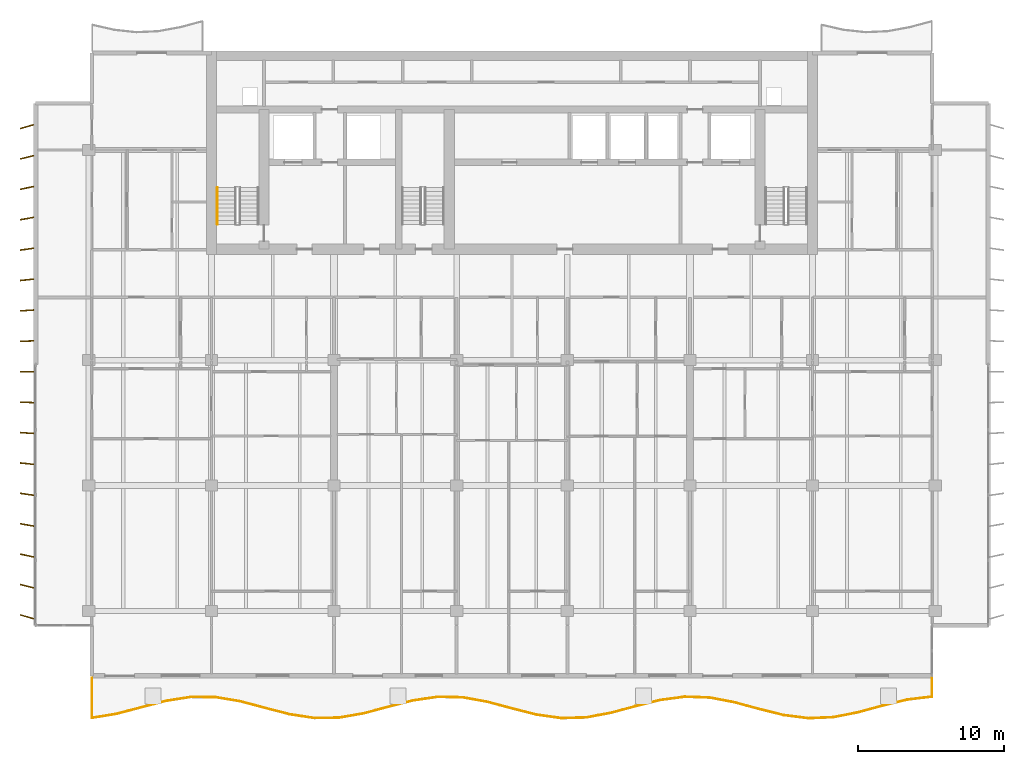
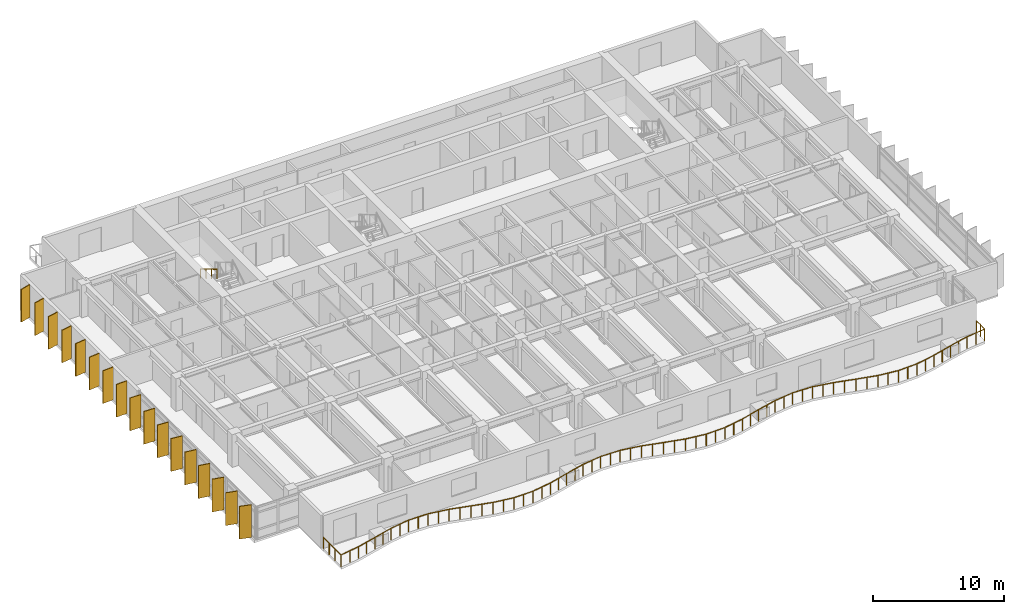
# One storey, part 16 of 19: 17 shading devices, 2 railings.
"""IFC4 building model written with IfcOpenShell, lengths in metres."""

from ifc_helpers import new_model, si_unit, direction, frame, origin, origin_2d, place, context, subcontext, project, spatial, rectangle, circle, extrude, material, material_profile, profile_set, type_object, element, save


model = new_model("IFC4")

# Units and contexts
model_context = context("Model", 3, precision=1e-05, world=origin(), true_north=direction((0.0, 1.0)))
body_context = subcontext(model_context, "Body", "Model", "MODEL_VIEW")
ifc_project = project(units=[si_unit("LENGTHUNIT", "METRE"), si_unit("AREAUNIT", "SQUARE_METRE"), si_unit("VOLUMEUNIT", "CUBIC_METRE"), si_unit("PLANEANGLEUNIT", "RADIAN"), si_unit("MASSUNIT", "GRAM", prefix="KILO")], contexts=[model_context])

# Site, building, storey
site_placement = place(None, origin())
site = spatial("IfcSite", under=ifc_project, at=site_placement, CompositionType="ELEMENT")
building_placement = place(site_placement, origin())
building = spatial("IfcBuilding", under=site, at=building_placement, Name="Caelmar Bay Residences", CompositionType="ELEMENT")
storey_placement = place(building_placement, frame((0.0, 0.0, 167.10009765625)))
storey = spatial("IfcBuildingStorey", under=building, at=storey_placement, Name="L46", CompositionType="ELEMENT", Elevation=167.10009765625)

# Railings
ifc_material_1 = material(Name="Anodised bronze handrail with laminated hurricane glass infill", Category="glass")
railing_type_1 = type_object("IfcRailingType", Name="RL-BAL-1100", PredefinedType="BALUSTRADE", material=ifc_material_1)
railing_1_placement = place(storey_placement, frame((10.10009765625, 7.60009765625, 0.0)))
element("IfcRailing", 1, at=railing_1_placement, inside=storey, type_object=railing_type_1, Name="L46 south Balcony Balustrade", PredefinedType="BALUSTRADE", context=body_context, shape_type="SweptSolid", body=[
    extrude(circle(Radius=0.02392578125, at=origin_2d()), frame((0.0, 0.0, 1.076171875), z_axis=(0.0, -1.0, 0.0), x_axis=(1.0, 0.0, 0.0)), (0.0, 0.0, 1.0), 2.7333984375),
    extrude(circle(Radius=0.02392578125, at=origin_2d()), frame((0.0, -2.7333984375, 1.076171875), z_axis=(0.987020906069, 0.160591814808, 0.0), x_axis=(-0.160591814808, 0.987020906069, 0.0)), (0.0, 0.0, 1.0), 1.71630859375),
    extrude(circle(Radius=0.02392578125, at=origin_2d()), frame((1.694091796875, -2.457763671875, 1.076171875), z_axis=(0.967110634576, 0.254356089941, 0.0), x_axis=(-0.254356089941, 0.967110634576, 0.0)), (0.0, 0.0, 1.0), 1.751708984375),
    extrude(circle(Radius=0.02392578125, at=origin_2d()), frame((3.38818359375, -2.01220703125, 1.076171875), z_axis=(0.967520956734, 0.252790819219, 0.0), x_axis=(-0.252790819219, 0.967520956734, 0.0)), (0.0, 0.0, 1.0), 1.7509765625),
    extrude(circle(Radius=0.02392578125, at=origin_2d()), frame((5.082275390625, -1.569580078125, 1.076171875), z_axis=(0.987754884776, 0.156013741708, 0.0), x_axis=(-0.156013741708, 0.987754884776, 0.0)), (0.0, 0.0, 1.0), 1.715087890625),
    extrude(circle(Radius=0.02392578125, at=origin_2d()), frame((6.7763671875, -1.302001953125, 1.076171875), z_axis=(0.999978027596, -0.006629051631, 0.0), x_axis=(0.006629051631, 0.999978027596, 0.0)), (0.0, 0.0, 1.0), 1.694091796875),
    extrude(circle(Radius=0.02392578125, at=origin_2d()), frame((8.470458984375, -1.313232421875, 1.076171875), z_axis=(0.986104347892, -0.166127105157, 0.0), x_axis=(0.166127105157, 0.986104347892, 0.0)), (0.0, 0.0, 1.0), 1.718017578125),
    extrude(circle(Radius=0.02392578125, at=origin_2d()), frame((10.16455078125, -1.5986328125, 1.076171875), z_axis=(0.966594667153, -0.256309869947, 0.0), x_axis=(0.256309869947, 0.966594667153, 0.0)), (0.0, 0.0, 1.0), 1.752685546875),
    extrude(circle(Radius=0.02392578125, at=origin_2d()), frame((11.858642578125, -2.0478515625, 1.076171875), z_axis=(0.968132332048, -0.250439189512, 0.0), x_axis=(0.250439189512, 0.968132332048, 0.0)), (0.0, 0.0, 1.0), 1.749755859375),
    extrude(circle(Radius=0.02392578125, at=origin_2d()), frame((13.552734375, -2.486083984375, 1.076171875), z_axis=(0.98864185553, -0.150290656712, 0.0), x_axis=(0.150290656712, 0.98864185553, 0.0)), (0.0, 0.0, 1.0), 1.7138671875),
    extrude(circle(Radius=0.02392578125, at=origin_2d()), frame((15.2470703125, -2.74365234375, 1.076171875), z_axis=(0.999904312247, 0.013833522694, 0.0), x_axis=(-0.013833522694, 0.999904312247, 0.0)), (0.0, 0.0, 1.0), 1.6943359375),
    extrude(circle(Radius=0.02392578125, at=origin_2d()), frame((16.941162109375, -2.72021484375, 1.076171875), z_axis=(0.985158564818, 0.171646736542, 0.0), x_axis=(-0.171646736542, 0.985158564818, 0.0)), (0.0, 0.0, 1.0), 1.7197265625),
    extrude(circle(Radius=0.02392578125, at=origin_2d()), frame((18.63525390625, -2.425048828125, 1.076171875), z_axis=(0.966144753917, 0.258000609455, 0.0), x_axis=(-0.258000609455, 0.966144753917, 0.0)), (0.0, 0.0, 1.0), 1.75341796875),
    extrude(circle(Radius=0.02392578125, at=origin_2d()), frame((20.329345703125, -1.97265625, 1.076171875), z_axis=(0.968738750291, 0.248083118499, 0.0), x_axis=(-0.248083118499, 0.968738750291, 0.0)), (0.0, 0.0, 1.0), 1.748779296875),
    extrude(circle(Radius=0.02392578125, at=origin_2d()), frame((22.0234375, -1.538818359375, 1.076171875), z_axis=(0.98951133428, 0.14445525027, 0.0), x_axis=(-0.14445525027, 0.98951133428, 0.0)), (0.0, 0.0, 1.0), 1.712158203125),
    extrude(circle(Radius=0.02392578125, at=origin_2d()), frame((23.717529296875, -1.29150390625, 1.076171875), z_axis=(0.999775681677, -0.021179856637, 0.0), x_axis=(0.021179856637, 0.999775681677, 0.0)), (0.0, 0.0, 1.0), 1.694580078125),
    extrude(circle(Radius=0.02392578125, at=origin_2d()), frame((25.41162109375, -1.327392578125, 1.076171875), z_axis=(0.984208538053, -0.177012862875, 0.0), x_axis=(0.177012862875, 0.984208538053, 0.0)), (0.0, 0.0, 1.0), 1.72119140625),
    extrude(circle(Radius=0.02392578125, at=origin_2d()), frame((27.105712890625, -1.632080078125, 1.076171875), z_axis=(0.965727200688, -0.259559191423, 0.0), x_axis=(0.259559191423, 0.965727200688, 0.0)), (0.0, 0.0, 1.0), 1.754150390625),
    extrude(circle(Radius=0.02392578125, at=origin_2d()), frame((28.7998046875, -2.08740234375, 1.076171875), z_axis=(0.969373446512, -0.245591370366, 0.0), x_axis=(0.245591370366, 0.969373446512, 0.0)), (0.0, 0.0, 1.0), 1.74755859375),
    extrude(circle(Radius=0.02392578125, at=origin_2d()), frame((30.493896484375, -2.5166015625, 1.076171875), z_axis=(0.990409437988, -0.138163472542, 0.0), x_axis=(0.138163472542, 0.990409437988, 0.0)), (0.0, 0.0, 1.0), 1.71044921875),
    extrude(circle(Radius=0.02392578125, at=origin_2d()), frame((32.18798828125, -2.7529296875, 1.076171875), z_axis=(0.999601431014, 0.028230818513, 0.0), x_axis=(-0.028230818513, 0.999601431014, 0.0)), (0.0, 0.0, 1.0), 1.695068359375),
    extrude(circle(Radius=0.02392578125, at=origin_2d()), frame((33.88232421875, -2.705078125, 1.076171875), z_axis=(0.983256624742, 0.182226260184, 0.0), x_axis=(-0.182226260184, 0.983256624742, 0.0)), (0.0, 0.0, 1.0), 1.722900390625),
    extrude(circle(Radius=0.02392578125, at=origin_2d()), frame((35.576416015625, -2.39111328125, 1.076171875), z_axis=(0.965342555337, 0.260986112381, 0.0), x_axis=(-0.260986112381, 0.965342555337, 0.0)), (0.0, 0.0, 1.0), 1.7548828125),
    extrude(circle(Radius=0.02392578125, at=origin_2d()), frame((37.2705078125, -1.93310546875, 1.076171875), z_axis=(0.970068443497, 0.242831659656, 0.0), x_axis=(-0.242831659656, 0.970068443497, 0.0)), (0.0, 0.0, 1.0), 1.746337890625),
    extrude(circle(Radius=0.02392578125, at=origin_2d()), frame((38.964599609375, -1.509033203125, 1.076171875), z_axis=(0.991231643063, 0.132135649205, 0.0), x_axis=(-0.132135649205, 0.991231643063, 0.0)), (0.0, 0.0, 1.0), 1.708984375),
    extrude(circle(Radius=0.02392578125, at=origin_2d()), frame((40.65869140625, -1.283203125, 1.076171875), z_axis=(0.999367067109, -0.035573377371, 0.0), x_axis=(0.035573377371, 0.999367067109, 0.0)), (0.0, 0.0, 1.0), 1.695068359375),
    extrude(circle(Radius=0.02392578125, at=origin_2d()), frame((42.352783203125, -1.343505859375, 1.076171875), z_axis=(0.982310060551, -0.187261701745, 0.0), x_axis=(0.187261701745, 0.982310060551, 0.0)), (0.0, 0.0, 1.0), 1.724853515625),
    extrude(circle(Radius=0.02392578125, at=origin_2d()), frame((44.047119140625, -1.66650390625, 1.076171875), z_axis=(0.965026507292, -0.26215232256, 0.0), x_axis=(0.26215232256, 0.965026507292, 0.0)), (0.0, 0.0, 1.0), 1.75537109375),
    extrude(circle(Radius=0.02392578125, at=origin_2d()), frame((45.7412109375, -2.126708984375, 1.076171875), z_axis=(0.970789153593, -0.239934197782, 0.0), x_axis=(0.239934197782, 0.970789153593, 0.0)), (0.0, 0.0, 1.0), 1.7451171875),
    extrude(circle(Radius=0.02392578125, at=origin_2d()), frame((47.435302734375, -2.54541015625, 1.076171875), z_axis=(0.992036281336, -0.125952437506, 0.0), x_axis=(0.125952437506, 0.992036281336, 0.0)), (0.0, 0.0, 1.0), 1.707763671875),
    extrude(circle(Radius=0.02392578125, at=origin_2d()), frame((49.12939453125, -2.760498046875, 1.076171875), z_axis=(0.999085270013, 0.042762404553, 0.0), x_axis=(-0.042762404553, 0.999085270013, 0.0)), (0.0, 0.0, 1.0), 1.695556640625),
    extrude(circle(Radius=0.02392578125, at=origin_2d()), frame((50.823486328125, -2.68798828125, 1.076171875), z_axis=(0.981356137979, 0.192198154131, 0.0), x_axis=(-0.192198154131, 0.981356137979, 0.0)), (0.0, 0.0, 1.0), 1.726318359375),
    extrude(circle(Radius=0.02392578125, at=origin_2d()), frame((52.517578125, -2.356201171875, 1.076171875), z_axis=(0.964744568041, 0.263187990676, 0.0), x_axis=(-0.263187990676, 0.964744568041, 0.0)), (0.0, 0.0, 1.0), 1.756103515625),
    extrude(circle(Radius=0.02392578125, at=origin_2d()), frame((54.211669921875, -1.89404296875, 1.076171875), z_axis=(0.971502255438, 0.23703030962, 0.0), x_axis=(-0.23703030962, 0.971502255438, 0.0)), (0.0, 0.0, 1.0), 1.743896484375),
    extrude(circle(Radius=0.02392578125, at=origin_2d()), frame((55.90576171875, -1.480712890625, 1.076171875), z_axis=(0.992837516335, 0.119472449364, 0.0), x_axis=(-0.119472449364, 0.992837516335, 0.0)), (0.0, 0.0, 1.0), 1.706298828125),
    extrude(circle(Radius=0.02392578125, at=origin_2d()), frame((57.599853515625, -1.27685546875, 1.076171875), z_axis=(0.0, 1.0, 0.0), x_axis=(-1.0, 0.0, 0.0)), (0.0, 0.0, 1.0), 1.27685546875),
    extrude(circle(Radius=0.02099609375, at=origin_2d()), origin(), (0.0, 0.0, 1.0), 1.052001953125),
    extrude(circle(Radius=0.02099609375, at=origin_2d()), frame((0.0, -0.9111328125, 0.0)), (0.0, 0.0, 1.0), 1.052001953125),
    extrude(circle(Radius=0.02099609375, at=origin_2d()), frame((0.0, -1.822265625, 0.0)), (0.0, 0.0, 1.0), 1.052001953125),
    extrude(circle(Radius=0.02099609375, at=origin_2d()), frame((0.0, -2.7333984375, 0.0)), (0.0, 0.0, 1.0), 1.052001953125),
    extrude(circle(Radius=0.02099609375, at=origin_2d()), frame((0.84716796875, -2.595703125, 0.0)), (0.0, 0.0, 1.0), 1.052001953125),
    extrude(circle(Radius=0.02099609375, at=origin_2d()), frame((1.694091796875, -2.457763671875, 0.0)), (0.0, 0.0, 1.0), 1.052001953125),
    extrude(circle(Radius=0.02099609375, at=origin_2d()), frame((2.541015625, -2.23486328125, 0.0)), (0.0, 0.0, 1.0), 1.052001953125),
    extrude(circle(Radius=0.02099609375, at=origin_2d()), frame((3.38818359375, -2.01220703125, 0.0)), (0.0, 0.0, 1.0), 1.052001953125),
    extrude(circle(Radius=0.02099609375, at=origin_2d()), frame((4.2353515625, -1.791015625, 0.0)), (0.0, 0.0, 1.0), 1.052001953125),
    extrude(circle(Radius=0.02099609375, at=origin_2d()), frame((5.082275390625, -1.569580078125, 0.0)), (0.0, 0.0, 1.0), 1.052001953125),
    extrude(circle(Radius=0.02099609375, at=origin_2d()), frame((5.92919921875, -1.435791015625, 0.0)), (0.0, 0.0, 1.0), 1.052001953125),
    extrude(circle(Radius=0.02099609375, at=origin_2d()), frame((6.7763671875, -1.302001953125, 0.0)), (0.0, 0.0, 1.0), 1.052001953125),
    extrude(circle(Radius=0.02099609375, at=origin_2d()), frame((7.62353515625, -1.3076171875, 0.0)), (0.0, 0.0, 1.0), 1.052001953125),
    extrude(circle(Radius=0.02099609375, at=origin_2d()), frame((8.470458984375, -1.313232421875, 0.0)), (0.0, 0.0, 1.0), 1.052001953125),
    extrude(circle(Radius=0.02099609375, at=origin_2d()), frame((9.3173828125, -1.4560546875, 0.0)), (0.0, 0.0, 1.0), 1.052001953125),
    extrude(circle(Radius=0.02099609375, at=origin_2d()), frame((10.16455078125, -1.5986328125, 0.0)), (0.0, 0.0, 1.0), 1.052001953125),
    extrude(circle(Radius=0.02099609375, at=origin_2d()), frame((11.01171875, -1.8232421875, 0.0)), (0.0, 0.0, 1.0), 1.052001953125),
    extrude(circle(Radius=0.02099609375, at=origin_2d()), frame((11.858642578125, -2.0478515625, 0.0)), (0.0, 0.0, 1.0), 1.052001953125),
    extrude(circle(Radius=0.02099609375, at=origin_2d()), frame((12.70556640625, -2.26708984375, 0.0)), (0.0, 0.0, 1.0), 1.052001953125),
    extrude(circle(Radius=0.02099609375, at=origin_2d()), frame((13.552734375, -2.486083984375, 0.0)), (0.0, 0.0, 1.0), 1.052001953125),
    extrude(circle(Radius=0.02099609375, at=origin_2d()), frame((14.39990234375, -2.61474609375, 0.0)), (0.0, 0.0, 1.0), 1.052001953125),
    extrude(circle(Radius=0.02099609375, at=origin_2d()), frame((15.2470703125, -2.74365234375, 0.0)), (0.0, 0.0, 1.0), 1.052001953125),
    extrude(circle(Radius=0.02099609375, at=origin_2d()), frame((16.09423828125, -2.73193359375, 0.0)), (0.0, 0.0, 1.0), 1.052001953125),
    extrude(circle(Radius=0.02099609375, at=origin_2d()), frame((16.941162109375, -2.72021484375, 0.0)), (0.0, 0.0, 1.0), 1.052001953125),
    extrude(circle(Radius=0.02099609375, at=origin_2d()), frame((17.7880859375, -2.57275390625, 0.0)), (0.0, 0.0, 1.0), 1.052001953125),
    extrude(circle(Radius=0.02099609375, at=origin_2d()), frame((18.63525390625, -2.425048828125, 0.0)), (0.0, 0.0, 1.0), 1.052001953125),
    extrude(circle(Radius=0.02099609375, at=origin_2d()), frame((19.482421875, -2.19873046875, 0.0)), (0.0, 0.0, 1.0), 1.052001953125),
    extrude(circle(Radius=0.02099609375, at=origin_2d()), frame((20.329345703125, -1.97265625, 0.0)), (0.0, 0.0, 1.0), 1.052001953125),
    extrude(circle(Radius=0.02099609375, at=origin_2d()), frame((21.17626953125, -1.755859375, 0.0)), (0.0, 0.0, 1.0), 1.052001953125),
    extrude(circle(Radius=0.02099609375, at=origin_2d()), frame((22.0234375, -1.538818359375, 0.0)), (0.0, 0.0, 1.0), 1.052001953125),
    extrude(circle(Radius=0.02099609375, at=origin_2d()), frame((22.87060546875, -1.4150390625, 0.0)), (0.0, 0.0, 1.0), 1.052001953125),
    extrude(circle(Radius=0.02099609375, at=origin_2d()), frame((23.717529296875, -1.29150390625, 0.0)), (0.0, 0.0, 1.0), 1.052001953125),
    extrude(circle(Radius=0.02099609375, at=origin_2d()), frame((24.564453125, -1.3095703125, 0.0)), (0.0, 0.0, 1.0), 1.052001953125),
    extrude(circle(Radius=0.02099609375, at=origin_2d()), frame((25.41162109375, -1.327392578125, 0.0)), (0.0, 0.0, 1.0), 1.052001953125),
    extrude(circle(Radius=0.02099609375, at=origin_2d()), frame((26.2587890625, -1.479736328125, 0.0)), (0.0, 0.0, 1.0), 1.052001953125),
    extrude(circle(Radius=0.02099609375, at=origin_2d()), frame((27.105712890625, -1.632080078125, 0.0)), (0.0, 0.0, 1.0), 1.052001953125),
    extrude(circle(Radius=0.02099609375, at=origin_2d()), frame((27.95263671875, -1.85986328125, 0.0)), (0.0, 0.0, 1.0), 1.052001953125),
    extrude(circle(Radius=0.02099609375, at=origin_2d()), frame((28.7998046875, -2.08740234375, 0.0)), (0.0, 0.0, 1.0), 1.052001953125),
    extrude(circle(Radius=0.02099609375, at=origin_2d()), frame((29.64697265625, -2.302001953125, 0.0)), (0.0, 0.0, 1.0), 1.052001953125),
    extrude(circle(Radius=0.02099609375, at=origin_2d()), frame((30.493896484375, -2.5166015625, 0.0)), (0.0, 0.0, 1.0), 1.052001953125),
    extrude(circle(Radius=0.02099609375, at=origin_2d()), frame((31.3408203125, -2.634765625, 0.0)), (0.0, 0.0, 1.0), 1.052001953125),
    extrude(circle(Radius=0.02099609375, at=origin_2d()), frame((32.18798828125, -2.7529296875, 0.0)), (0.0, 0.0, 1.0), 1.052001953125),
    extrude(circle(Radius=0.02099609375, at=origin_2d()), frame((33.03515625, -2.72900390625, 0.0)), (0.0, 0.0, 1.0), 1.052001953125),
    extrude(circle(Radius=0.02099609375, at=origin_2d()), frame((33.88232421875, -2.705078125, 0.0)), (0.0, 0.0, 1.0), 1.052001953125),
    extrude(circle(Radius=0.02099609375, at=origin_2d()), frame((34.7294921875, -2.548095703125, 0.0)), (0.0, 0.0, 1.0), 1.052001953125),
    extrude(circle(Radius=0.02099609375, at=origin_2d()), frame((35.576416015625, -2.39111328125, 0.0)), (0.0, 0.0, 1.0), 1.052001953125),
    extrude(circle(Radius=0.02099609375, at=origin_2d()), frame((36.42333984375, -2.162109375, 0.0)), (0.0, 0.0, 1.0), 1.052001953125),
    extrude(circle(Radius=0.02099609375, at=origin_2d()), frame((37.2705078125, -1.93310546875, 0.0)), (0.0, 0.0, 1.0), 1.052001953125),
    extrude(circle(Radius=0.02099609375, at=origin_2d()), frame((38.11767578125, -1.72119140625, 0.0)), (0.0, 0.0, 1.0), 1.052001953125),
    extrude(circle(Radius=0.02099609375, at=origin_2d()), frame((38.964599609375, -1.509033203125, 0.0)), (0.0, 0.0, 1.0), 1.052001953125),
    extrude(circle(Radius=0.02099609375, at=origin_2d()), frame((39.8115234375, -1.39599609375, 0.0)), (0.0, 0.0, 1.0), 1.052001953125),
    extrude(circle(Radius=0.02099609375, at=origin_2d()), frame((40.65869140625, -1.283203125, 0.0)), (0.0, 0.0, 1.0), 1.052001953125),
    extrude(circle(Radius=0.02099609375, at=origin_2d()), frame((41.505859375, -1.3134765625, 0.0)), (0.0, 0.0, 1.0), 1.052001953125),
    extrude(circle(Radius=0.02099609375, at=origin_2d()), frame((42.352783203125, -1.343505859375, 0.0)), (0.0, 0.0, 1.0), 1.052001953125),
    extrude(circle(Radius=0.02099609375, at=origin_2d()), frame((43.199951171875, -1.5048828125, 0.0)), (0.0, 0.0, 1.0), 1.052001953125),
    extrude(circle(Radius=0.02099609375, at=origin_2d()), frame((44.047119140625, -1.66650390625, 0.0)), (0.0, 0.0, 1.0), 1.052001953125),
    extrude(circle(Radius=0.02099609375, at=origin_2d()), frame((44.89404296875, -1.896484375, 0.0)), (0.0, 0.0, 1.0), 1.052001953125),
    extrude(circle(Radius=0.02099609375, at=origin_2d()), frame((45.7412109375, -2.126708984375, 0.0)), (0.0, 0.0, 1.0), 1.052001953125),
    extrude(circle(Radius=0.02099609375, at=origin_2d()), frame((46.58837890625, -2.3359375, 0.0)), (0.0, 0.0, 1.0), 1.052001953125),
    extrude(circle(Radius=0.02099609375, at=origin_2d()), frame((47.435302734375, -2.54541015625, 0.0)), (0.0, 0.0, 1.0), 1.052001953125),
    extrude(circle(Radius=0.02099609375, at=origin_2d()), frame((48.2822265625, -2.65283203125, 0.0)), (0.0, 0.0, 1.0), 1.052001953125),
    extrude(circle(Radius=0.02099609375, at=origin_2d()), frame((49.12939453125, -2.760498046875, 0.0)), (0.0, 0.0, 1.0), 1.052001953125),
    extrude(circle(Radius=0.02099609375, at=origin_2d()), frame((49.9765625, -2.72412109375, 0.0)), (0.0, 0.0, 1.0), 1.052001953125),
    extrude(circle(Radius=0.02099609375, at=origin_2d()), frame((50.823486328125, -2.68798828125, 0.0)), (0.0, 0.0, 1.0), 1.052001953125),
    extrude(circle(Radius=0.02099609375, at=origin_2d()), frame((51.67041015625, -2.52197265625, 0.0)), (0.0, 0.0, 1.0), 1.052001953125),
    extrude(circle(Radius=0.02099609375, at=origin_2d()), frame((52.517578125, -2.356201171875, 0.0)), (0.0, 0.0, 1.0), 1.052001953125),
    extrude(circle(Radius=0.02099609375, at=origin_2d()), frame((53.36474609375, -2.125, 0.0)), (0.0, 0.0, 1.0), 1.052001953125),
    extrude(circle(Radius=0.02099609375, at=origin_2d()), frame((54.211669921875, -1.89404296875, 0.0)), (0.0, 0.0, 1.0), 1.052001953125),
    extrude(circle(Radius=0.02099609375, at=origin_2d()), frame((55.05859375, -1.6875, 0.0)), (0.0, 0.0, 1.0), 1.052001953125),
    extrude(circle(Radius=0.02099609375, at=origin_2d()), frame((55.90576171875, -1.480712890625, 0.0)), (0.0, 0.0, 1.0), 1.052001953125),
    extrude(circle(Radius=0.02099609375, at=origin_2d()), frame((56.7529296875, -1.37890625, 0.0)), (0.0, 0.0, 1.0), 1.052001953125),
    extrude(circle(Radius=0.02099609375, at=origin_2d()), frame((57.599853515625, -1.27685546875, 0.0)), (0.0, 0.0, 1.0), 1.052001953125),
    extrude(circle(Radius=0.02099609375, at=origin_2d()), frame((57.599853515625, -0.638427734375, 0.0)), (0.0, 0.0, 1.0), 1.052001953125),
    extrude(circle(Radius=0.02099609375, at=origin_2d()), frame((57.599853515625, 0.0, 0.0)), (0.0, 0.0, 1.0), 1.052001953125),
])
ifc_material_2 = material(Name="Brushed bronze stainless-steel tubular handrail 900 mm", Category="steel")
railing_type_2 = type_object("IfcRailingType", Name="RL-HND-900", PredefinedType="HANDRAIL", material=ifc_material_2)
railing_2_placement = place(storey_placement, frame((18.699951171875, 41.219970703125, 1.81494140625)))
element("IfcRailing", 2, at=railing_2_placement, inside=storey, type_object=railing_type_2, Name="L46 ST1 stair handrail 2", PredefinedType="HANDRAIL", context=body_context, shape_type="SweptSolid", body=[
    extrude(circle(Radius=0.02392578125, at=origin_2d()), frame((0.0, 0.0, 0.8759765625), z_axis=(0.0, -0.861560626758, 0.507654692109), x_axis=(1.0, 0.0, 0.0)), (0.0, 0.0, 1.0), 2.925048828125),
    extrude(circle(Radius=0.02099609375, at=origin_2d()), origin(), (0.0, 0.0, 1.0), 0.851806640625),
    extrude(circle(Radius=0.02099609375, at=origin_2d()), frame((0.0, -0.840087890625, 0.494873046875)), (0.0, 0.0, 1.0), 0.851806640625),
    extrude(circle(Radius=0.02099609375, at=origin_2d()), frame((0.0, -1.679931640625, 0.989990234375)), (0.0, 0.0, 1.0), 0.851806640625),
    extrude(circle(Radius=0.02099609375, at=origin_2d()), frame((0.0, -2.52001953125, 1.48486328125)), (0.0, 0.0, 1.0), 0.851806640625),
])

# Shading devices
ifc_material_3 = material(Name="Anodised architectural bronze aluminium 6063-T6", Category="aluminium")
ifc_material_profile = material_profile(ifc_material_3, rectangle(XDim=0.074951171875, YDim=0.949951171875, at=origin_2d()), Name="BRONZE-FIN-75X950")
ifc_profile_set = profile_set([ifc_material_profile], Name="Anodised architectural bronze aluminium 6063-T6")
shading_device_type = type_object("IfcShadingDeviceType", Name="SHD-FIN-950", PredefinedType="USERDEFINED", material=ifc_profile_set)
for number, where, z_axis, x_axis, name in (
    (3, (5.64990234375, 11.800048828125, 0.0), (0.0, 0.0, 1.0), (0.275637355817, 0.961261695938, 0.0), "L46 West Bronze Solar Fin 1"),
    (4, (5.64990234375, 13.89990234375, 0.0), (0.0, 0.0, 1.0), (0.2419218956, 0.970295726276, 0.0), "L46 West Bronze Solar Fin 2"),
    (5, (5.64990234375, 16.0, 0.0), (0.0, 0.0, 1.0), (0.207911690818, 0.978147600734, 0.0), "L46 West Bronze Solar Fin 3"),
    (6, (5.64990234375, 18.10009765625, 0.0), (0.0, 0.0, 1.0), (0.173648177667, 0.984807753012, 0.0), "L46 West Bronze Solar Fin 4"),
    (7, (5.64990234375, 20.199951171875, 0.0), (0.0, 0.0, 1.0), (0.13917310096, 0.990268068742, 0.0), "L46 West Bronze Solar Fin 5"),
    (8, (5.64990234375, 22.300048828125, 0.0), (0.0, 0.0, 1.0), (0.104528463268, 0.994521895368, 0.0), "L46 West Bronze Solar Fin 6"),
    (9, (5.64990234375, 24.39990234375, 0.0), (0.0, 0.0, 1.0), (0.069756473744, 0.99756405026, 0.0), "L46 West Bronze Solar Fin 7"),
    (10, (5.64990234375, 26.5, 0.0), (0.0, 0.0, 1.0), (0.034899496703, 0.999390827019, 0.0), "L46 West Bronze Solar Fin 8"),
    (11, (5.64990234375, 28.60009765625, 0.0), (0.0, 0.0, 1.0), (0.0, 1.0, 0.0), "L46 West Bronze Solar Fin 9"),
    (12, (5.64990234375, 30.699951171875, 0.0), (0.0, 0.0, 1.0), (-0.034899496703, 0.999390827019, 0.0), "L46 West Bronze Solar Fin 10"),
    (13, (5.64990234375, 32.800048828125, 0.0), (0.0, 0.0, 1.0), (-0.069756473744, 0.99756405026, 0.0), "L46 West Bronze Solar Fin 11"),
    (14, (5.64990234375, 34.89990234375, 0.0), (0.0, 0.0, 1.0), (-0.104528463268, 0.994521895368, 0.0), "L46 West Bronze Solar Fin 12"),
    (15, (5.64990234375, 37.0, 0.0), (0.0, 0.0, 1.0), (-0.13917310096, 0.990268068742, 0.0), "L46 West Bronze Solar Fin 13"),
    (16, (5.64990234375, 39.10009765625, 0.0), (0.0, 0.0, 1.0), (-0.173648177667, 0.984807753012, 0.0), "L46 West Bronze Solar Fin 14"),
    (17, (5.64990234375, 41.199951171875, 0.0), (0.0, 0.0, 1.0), (-0.207911690818, 0.978147600734, 0.0), "L46 West Bronze Solar Fin 15"),
    (18, (5.64990234375, 43.300048828125, 0.0), (0.0, 0.0, 1.0), (-0.2419218956, 0.970295726276, 0.0), "L46 West Bronze Solar Fin 16"),
    (19, (5.64990234375, 45.39990234375, 0.0), (0.0, 0.0, 1.0), (-0.275637355817, 0.961261695938, 0.0), "L46 West Bronze Solar Fin 17"),
):
    element("IfcShadingDevice", number, at=place(storey_placement, frame(where, z_axis=z_axis, x_axis=x_axis)), inside=storey, type_object=shading_device_type, Name=name, ObjectType="FIN", PredefinedType="USERDEFINED", context=body_context, shape_type="SweptSolid", body=[
        extrude(rectangle(XDim=0.074951171875, YDim=0.949951171875, at=origin_2d()), origin(), (0.0, 0.0, 1.0), 3.0498046875),
    ])

save(model, "model.ifc")
